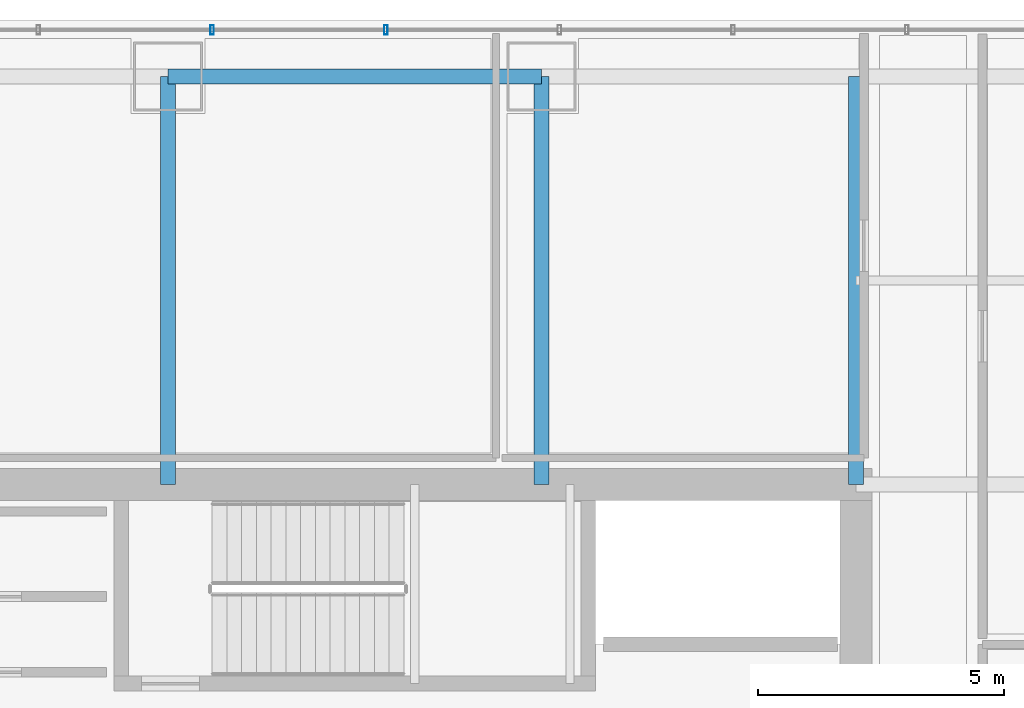
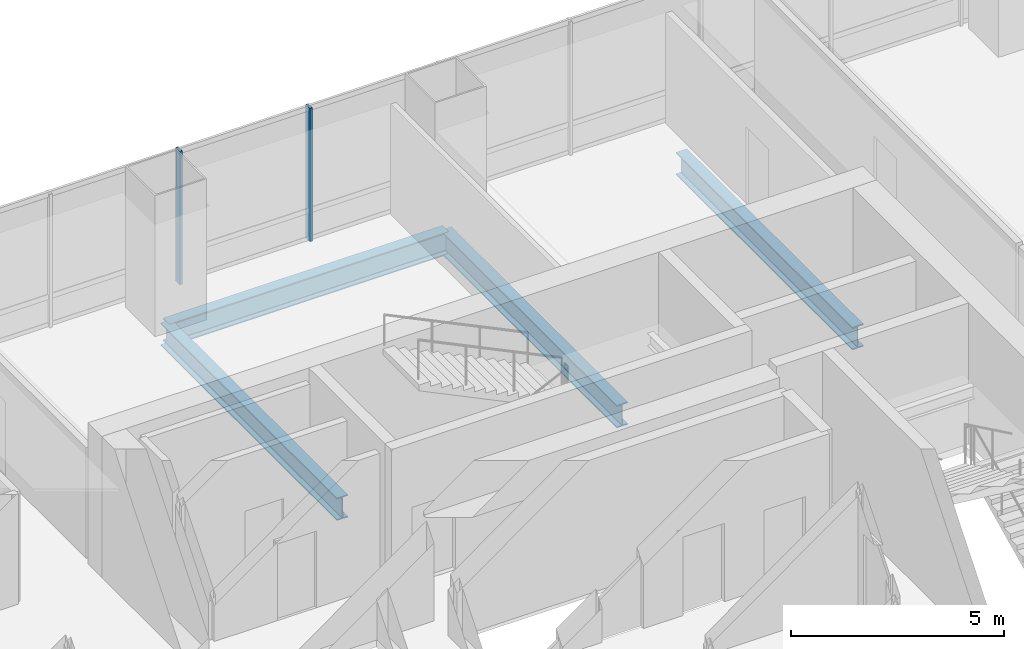
# One storey, part 22 of 36: 4 beams, 2 members, 1 element without a shape of its own.
"""IFC4 building model written with IfcOpenShell, lengths in metres."""

from ifc_helpers import new_model, si_unit, direction, frame, origin, origin_2d, place, context, subcontext, project, spatial, hollow_rectangle, i_section, extrude, material, material_profile, profile_set, type_object, element, aggregate, save


model = new_model("IFC4")

# Units and contexts
model_context = context("Model", 3, precision=1e-05, world=origin(), true_north=direction((0.0, 1.0)))
body_context = subcontext(model_context, "Body", "Model", "MODEL_VIEW")
ifc_project = project(units=[si_unit("LENGTHUNIT", "METRE"), si_unit("AREAUNIT", "SQUARE_METRE"), si_unit("VOLUMEUNIT", "CUBIC_METRE"), si_unit("PLANEANGLEUNIT", "RADIAN"), si_unit("MASSUNIT", "GRAM", prefix="KILO")], contexts=[model_context])

# Site, building, storey
site_placement = place(None, origin())
site = spatial("IfcSite", under=ifc_project, at=site_placement, CompositionType="ELEMENT")
building_placement = place(site_placement, origin())
building = spatial("IfcBuilding", under=site, at=building_placement, Name="Punatoya Terracotta Tower", CompositionType="ELEMENT")
storey_placement = place(building_placement, frame((0.0, 0.0, 208.64990234375)))
storey = spatial("IfcBuildingStorey", under=building, at=storey_placement, Name="L49", CompositionType="ELEMENT", Elevation=208.64990234375)

# Beams
ifc_material_1 = material(Name="Steel S355", Category="steel")
ifc_material_profile_1 = material_profile(ifc_material_1, i_section(OverallWidth=0.300048828125, OverallDepth=0.64990234375, WebThickness=0.01611328125, FlangeThickness=0.031005859375, FilletRadius=0.01806640625, at=origin_2d()))
ifc_profile_set_1 = profile_set([ifc_material_profile_1], Name="Steel S355")
beam_type = type_object("IfcBeamType", Name="BM-PRI-650", PredefinedType="BEAM", material=ifc_profile_set_1)
beam_placement = place(storey_placement, frame((-3.800048828125, 17.5, -0.544921875), z_axis=(1.0, 0.0, 0.0), x_axis=(0.0, 1.0, 0.0)))
element("IfcBeam", 1, at=beam_placement, inside=storey, type_object=beam_type, Name="BM-L49-RG-N2", PredefinedType="BEAM", context=body_context, shape_type="SweptSolid", body=[
    extrude(i_section(OverallWidth=0.300048828125, OverallDepth=0.64990234375, WebThickness=0.01611328125, FlangeThickness=0.031005859375, FilletRadius=0.01806640625, at=origin_2d()), origin(), (0.0, 0.0, 1.0), 7.60009765625),
])
for number, where, z_axis, x_axis, name in (
    (2, (-3.800048828125, 9.199951171875, -0.544921875), (0.0, 1.0, 0.0), (-1.0, 0.0, 0.0), "BM-L49-PR-N2"),
    (3, (3.800048828125, 9.199951171875, -0.544921875), (0.0, 1.0, 0.0), (-1.0, 0.0, 0.0), "BM-L49-PR-N3"),
    (4, (10.199951171875, 9.199951171875, -0.544921875), (0.0, 1.0, 0.0), (-1.0, 0.0, 0.0), "BM-L49-PR-N4"),
):
    element("IfcBeam", number, at=place(storey_placement, frame(where, z_axis=z_axis, x_axis=x_axis)), inside=storey, type_object=beam_type, Name=name, PredefinedType="BEAM", context=body_context, shape_type="SweptSolid", body=[
        extrude(i_section(OverallWidth=0.300048828125, OverallDepth=0.64990234375, WebThickness=0.01611328125, FlangeThickness=0.031005859375, FilletRadius=0.01806640625, at=origin_2d()), origin(), (0.0, 0.0, 1.0), 8.300048828125),
    ])

# Curtain wall, members
ifc_material_2 = material(Name="Aluminium 6063-T6 + Double Low-E Glass", Category="aluminium")
curtain_wall_type = type_object("IfcCurtainWallType", Name="CW-M2", PredefinedType="NOTDEFINED", material=ifc_material_2)
curtain_wall_placement = place(storey_placement, origin())
curtain_wall = element("IfcCurtainWall", 5, at=curtain_wall_placement, inside=storey, type_object=curtain_wall_type, Name="L49 Curtain Wall CW-L49-N09-1", PredefinedType="NOTDEFINED")
ifc_material_3 = material(Name="Aluminium 6063-T6", Category="aluminium")
ifc_material_profile_2 = material_profile(ifc_material_3, hollow_rectangle(XDim=0.072021484375, YDim=0.195068359375, WallThickness=0.00439453125, at=origin_2d()))
ifc_profile_set_2 = profile_set([ifc_material_profile_2], Name="Aluminium 6063-T6")
member_type = type_object("IfcMemberType", Name="CW-MUL-M2", PredefinedType="MULLION", material=ifc_profile_set_2)
member_1_placement = place(storey_placement, frame((0.633056640625, 18.449951171875, 0.0), z_axis=(0.0, 0.0, 1.0), x_axis=(1.0, 0.0, 0.0)))
member_1 = element("IfcMember", 6, at=member_1_placement, type_object=member_type, Name="CW-L49-N09-1 Mullion 06", PredefinedType="MULLION", context=body_context, shape_type="SweptSolid", body=[
    extrude(hollow_rectangle(XDim=0.072021484375, YDim=0.195068359375, WallThickness=0.00439453125, at=origin_2d()), origin(), (0.0, 0.0, 1.0), 3.830078125),
])
member_2_placement = place(storey_placement, frame((-2.90087890625, 18.449951171875, 0.0), z_axis=(0.0, 0.0, 1.0), x_axis=(1.0, 0.0, 0.0)))
member_2 = element("IfcMember", 7, at=member_2_placement, type_object=member_type, Name="CW-L49-N09-1 Mullion 07", PredefinedType="MULLION", context=body_context, shape_type="SweptSolid", body=[
    extrude(hollow_rectangle(XDim=0.072021484375, YDim=0.195068359375, WallThickness=0.00439453125, at=origin_2d()), origin(), (0.0, 0.0, 1.0), 3.830078125),
])
aggregate(curtain_wall, [member_1, member_2])

save(model, "model.ifc")
